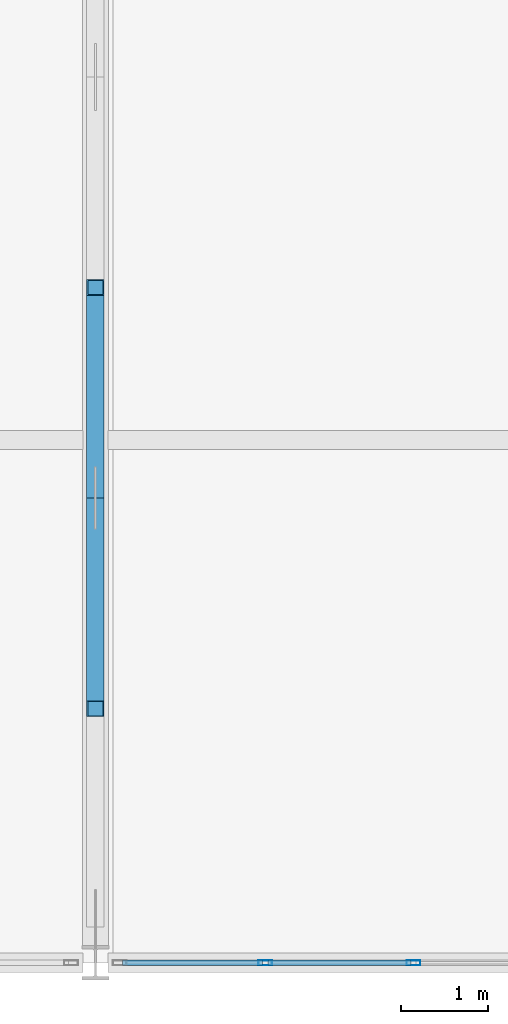
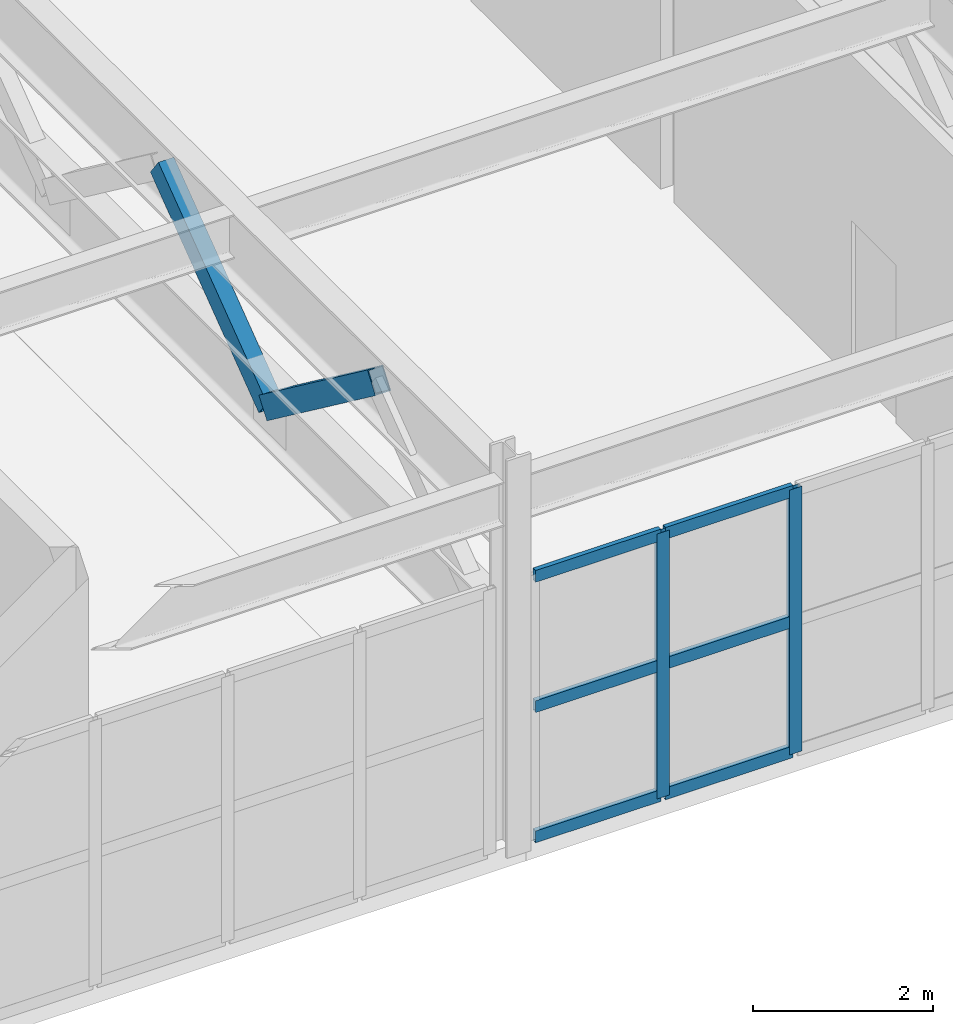
# One storey, part 27 of 210: 10 members, 1 element without a shape of its own.
"""IFC4 building model written with IfcOpenShell, lengths in metres."""

from ifc_helpers import new_model, si_unit, direction, frame, origin, origin_2d, place, context, subcontext, project, spatial, hollow_rectangle, extrude, material, material_profile, profile_set, type_object, element, aggregate, save


model = new_model("IFC4")

# Units and contexts
model_context = context("Model", 3, precision=1e-05, world=origin(), true_north=direction((0.0, 1.0)))
body_context = subcontext(model_context, "Body", "Model", "MODEL_VIEW")
ifc_project = project(units=[si_unit("LENGTHUNIT", "METRE"), si_unit("AREAUNIT", "SQUARE_METRE"), si_unit("VOLUMEUNIT", "CUBIC_METRE"), si_unit("PLANEANGLEUNIT", "RADIAN"), si_unit("MASSUNIT", "GRAM", prefix="KILO")], contexts=[model_context])

# Site, building, storey
site_placement = place(None, origin())
site = spatial("IfcSite", under=ifc_project, at=site_placement, CompositionType="ELEMENT")
building_placement = place(site_placement, origin())
building = spatial("IfcBuilding", under=site, at=building_placement, Name="Kaldris Quays Convention Centre", CompositionType="ELEMENT")
storey_placement = place(building_placement, frame((0.0, 0.0, 6.0)))
storey = spatial("IfcBuildingStorey", under=building, at=storey_placement, Name="L01", CompositionType="ELEMENT", Elevation=6.0)

# Curtain wall, members
ifc_material_1 = material(Name="Anodized aluminium AW-6060 and triple glazing", Category="aluminium")
curtain_wall_type = type_object("IfcCurtainWallType", Name="UNITISED CURTAIN WALL CW05", PredefinedType="NOTDEFINED", material=ifc_material_1)
curtain_wall_placement = place(storey_placement, origin())
curtain_wall = element("IfcCurtainWall", 1, at=curtain_wall_placement, inside=storey, type_object=curtain_wall_type, Name="L01 Unitised Curtain Wall CW05 65", PredefinedType="NOTDEFINED")
ifc_material_2 = material(Name="Anodized aluminium AW-6060", Category="aluminium")
ifc_material_profile_1 = material_profile(ifc_material_2, hollow_rectangle(XDim=0.06005859375, YDim=0.159912109375, WallThickness=0.00390625, at=origin_2d()), Name="RHS 160x60x4")
ifc_profile_set_1 = profile_set([ifc_material_profile_1], Name="Anodized aluminium AW-6060")
member_type_1 = type_object("IfcMemberType", Name="CURTAIN MULLION CWM1", PredefinedType="MULLION", material=ifc_profile_set_1)
member_1_placement = place(storey_placement, frame((48.949951171875, 16.0, 0.0), z_axis=(0.0, 0.0, 1.0), x_axis=(0.0, 1.0, 0.0)))
member_1 = element("IfcMember", 2, at=member_1_placement, type_object=member_type_1, Name="CW05 mullion 2", PredefinedType="MULLION", context=body_context, shape_type="SweptSolid", body=[
    extrude(hollow_rectangle(XDim=0.06005859375, YDim=0.159912109375, WallThickness=0.00390625, at=origin_2d()), origin(), (0.0, 0.0, 1.0), 3.60009765625),
])
member_2_placement = place(storey_placement, frame((50.64990234375, 16.0, 0.0), z_axis=(0.0, 0.0, 1.0), x_axis=(0.0, 1.0, 0.0)))
member_2 = element("IfcMember", 3, at=member_2_placement, type_object=member_type_1, Name="CW05 mullion 3", PredefinedType="MULLION", context=body_context, shape_type="SweptSolid", body=[
    extrude(hollow_rectangle(XDim=0.06005859375, YDim=0.159912109375, WallThickness=0.00390625, at=origin_2d()), origin(), (0.0, 0.0, 1.0), 3.60009765625),
])
ifc_material_profile_2 = material_profile(ifc_material_2, hollow_rectangle(XDim=0.06005859375, YDim=0.159912109375, WallThickness=0.00390625, at=origin_2d()), Name="RHS 160x60x4")
ifc_profile_set_2 = profile_set([ifc_material_profile_2], Name="Anodized aluminium AW-6060")
member_type_2 = type_object("IfcMemberType", Name="CURTAIN TRANSOM CWT2", PredefinedType="USERDEFINED", material=ifc_profile_set_2)
member_3_placement = place(storey_placement, frame((47.31005859375, 16.0, 0.030029296875), z_axis=(1.0, 0.0, 0.0), x_axis=(0.0, 1.0, 0.0)))
member_3 = element("IfcMember", 4, at=member_3_placement, type_object=member_type_2, Name="CW05 transom 1.1", ObjectType="TRANSOM", PredefinedType="USERDEFINED", context=body_context, shape_type="SweptSolid", body=[
    extrude(hollow_rectangle(XDim=0.06005859375, YDim=0.159912109375, WallThickness=0.00390625, at=origin_2d()), origin(), (0.0, 0.0, 1.0), 1.60986328125),
])
member_4_placement = place(storey_placement, frame((47.31005859375, 16.0, 1.800048828125), z_axis=(1.0, 0.0, 0.0), x_axis=(0.0, 1.0, 0.0)))
member_4 = element("IfcMember", 5, at=member_4_placement, type_object=member_type_2, Name="CW05 transom 1.2", ObjectType="TRANSOM", PredefinedType="USERDEFINED", context=body_context, shape_type="SweptSolid", body=[
    extrude(hollow_rectangle(XDim=0.06005859375, YDim=0.159912109375, WallThickness=0.00390625, at=origin_2d()), origin(), (0.0, 0.0, 1.0), 1.60986328125),
])
member_5_placement = place(storey_placement, frame((47.31005859375, 16.0, 3.570068359375), z_axis=(1.0, 0.0, 0.0), x_axis=(0.0, 1.0, 0.0)))
member_5 = element("IfcMember", 6, at=member_5_placement, type_object=member_type_2, Name="CW05 transom 1.3", ObjectType="TRANSOM", PredefinedType="USERDEFINED", context=body_context, shape_type="SweptSolid", body=[
    extrude(hollow_rectangle(XDim=0.06005859375, YDim=0.159912109375, WallThickness=0.00390625, at=origin_2d()), origin(), (0.0, 0.0, 1.0), 1.60986328125),
])
member_6_placement = place(storey_placement, frame((48.97998046875, 16.0, 0.030029296875), z_axis=(1.0, 0.0, 0.0), x_axis=(0.0, 1.0, 0.0)))
member_6 = element("IfcMember", 7, at=member_6_placement, type_object=member_type_2, Name="CW05 transom 2.1", ObjectType="TRANSOM", PredefinedType="USERDEFINED", context=body_context, shape_type="SweptSolid", body=[
    extrude(hollow_rectangle(XDim=0.06005859375, YDim=0.159912109375, WallThickness=0.00390625, at=origin_2d()), origin(), (0.0, 0.0, 1.0), 1.64013671875),
])
member_7_placement = place(storey_placement, frame((48.97998046875, 16.0, 1.800048828125), z_axis=(1.0, 0.0, 0.0), x_axis=(0.0, 1.0, 0.0)))
member_7 = element("IfcMember", 8, at=member_7_placement, type_object=member_type_2, Name="CW05 transom 2.2", ObjectType="TRANSOM", PredefinedType="USERDEFINED", context=body_context, shape_type="SweptSolid", body=[
    extrude(hollow_rectangle(XDim=0.06005859375, YDim=0.159912109375, WallThickness=0.00390625, at=origin_2d()), origin(), (0.0, 0.0, 1.0), 1.64013671875),
])
member_8_placement = place(storey_placement, frame((48.97998046875, 16.0, 3.570068359375), z_axis=(1.0, 0.0, 0.0), x_axis=(0.0, 1.0, 0.0)))
member_8 = element("IfcMember", 9, at=member_8_placement, type_object=member_type_2, Name="CW05 transom 2.3", ObjectType="TRANSOM", PredefinedType="USERDEFINED", context=body_context, shape_type="SweptSolid", body=[
    extrude(hollow_rectangle(XDim=0.06005859375, YDim=0.159912109375, WallThickness=0.00390625, at=origin_2d()), origin(), (0.0, 0.0, 1.0), 1.64013671875),
])
aggregate(curtain_wall, [member_1, member_2, member_3, member_4, member_5, member_6, member_7, member_8])

# Members
ifc_material_3 = material(Name="Steel S355J2H", Category="steel")
ifc_material_profile_3 = material_profile(ifc_material_3, hollow_rectangle(XDim=0.199951171875, YDim=0.300048828125, WallThickness=0.012451171875, at=origin_2d()), Name="RHS 300x200x12.5")
ifc_profile_set_3 = profile_set([ifc_material_profile_3], Name="Steel S355J2H")
member_type_3 = type_object("IfcMemberType", Name="STRUCTURAL MEMBER TTD1", PredefinedType="BRACE", material=ifc_profile_set_3)
member_9_placement = place(storey_placement, frame((47.0, 21.333251953125, 2.75), z_axis=(0.0, -0.800678988238, 0.599093613548), x_axis=(1.0, 0.0, 0.0)))
element("IfcMember", 10, at=member_9_placement, inside=storey, type_object=member_type_3, Name="Transfer Truss TT04 Diagonal 2", PredefinedType="BRACE", context=body_context, shape_type="SweptSolid", body=[
    extrude(hollow_rectangle(XDim=0.199951171875, YDim=0.300048828125, WallThickness=0.012451171875, at=origin_2d()), origin(), (0.0, 0.0, 1.0), 3.01806640625),
])
member_10_placement = place(storey_placement, frame((47.0, 21.333251953125, 2.75), z_axis=(0.0, 0.800708018983, 0.599054812464), x_axis=(-1.0, 0.0, 0.0)))
element("IfcMember", 11, at=member_10_placement, inside=storey, type_object=member_type_3, Name="Transfer Truss TT04 Diagonal 3", PredefinedType="BRACE", context=body_context, shape_type="SweptSolid", body=[
    extrude(hollow_rectangle(XDim=0.199951171875, YDim=0.300048828125, WallThickness=0.012451171875, at=origin_2d()), origin(), (0.0, 0.0, 1.0), 3.018310546875),
])

save(model, "model.ifc")
